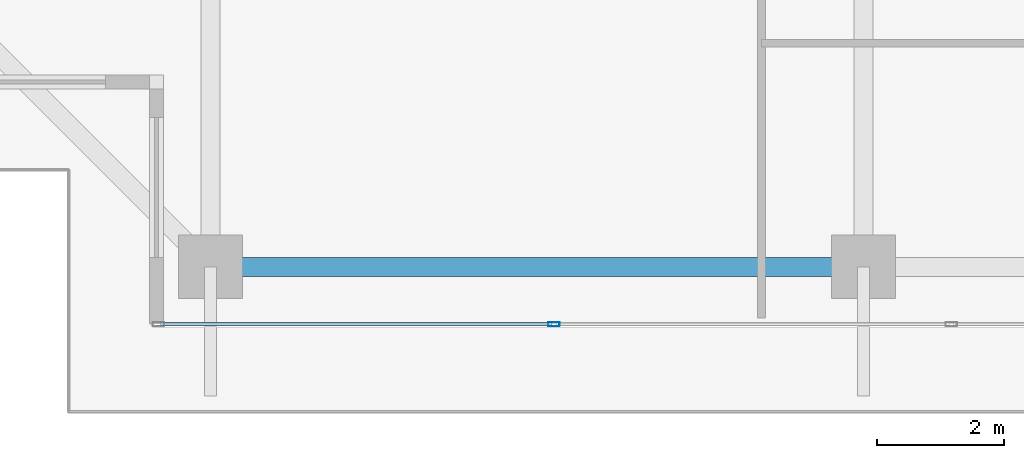
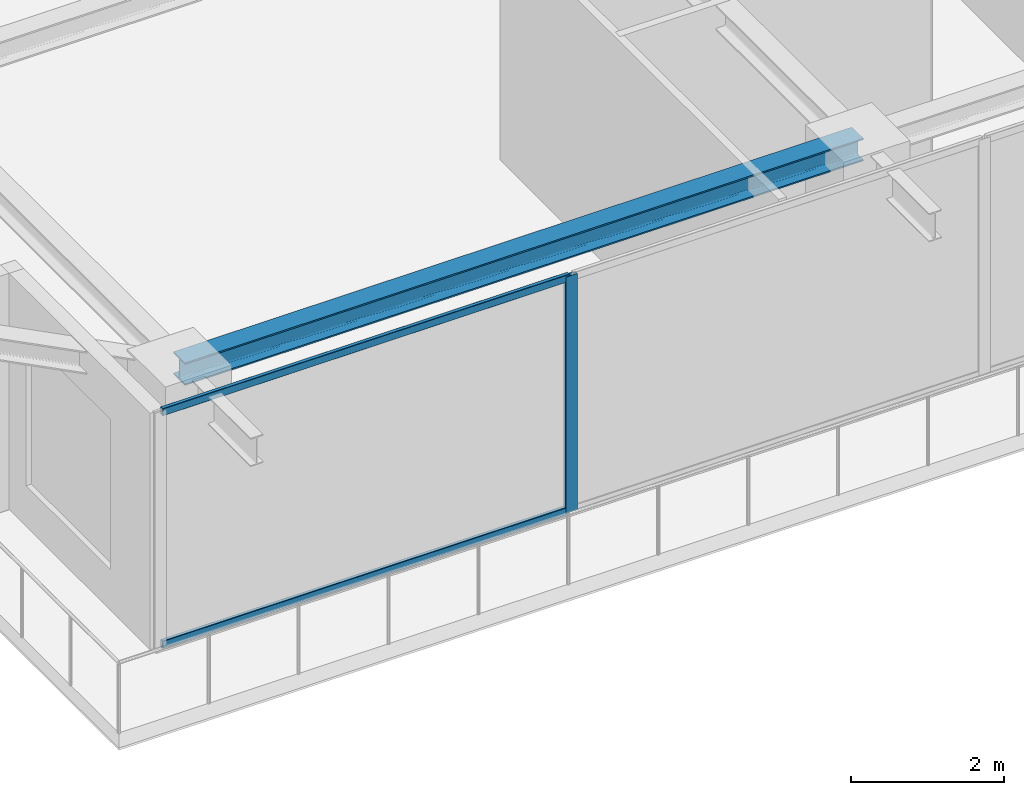
# One storey, part 3 of 39: 3 members, 1 beam, 1 element without a shape of its own.
"""IFC4 building model written with IfcOpenShell, lengths in metres."""

from ifc_helpers import new_model, si_unit, direction, frame, origin, origin_2d, place, context, subcontext, project, spatial, hollow_rectangle, i_section, extrude, source, transform, mapped, material, layer, layer_set, material_profile, profile_set, type_object, element, aggregate, save


model = new_model("IFC4")

# Units and contexts
model_context = context("Model", 3, precision=1e-05, world=origin(), true_north=direction((0.0, 1.0)))
body_context = subcontext(model_context, "Body", "Model", "MODEL_VIEW")
ifc_project = project(units=[si_unit("LENGTHUNIT", "METRE"), si_unit("AREAUNIT", "SQUARE_METRE"), si_unit("VOLUMEUNIT", "CUBIC_METRE"), si_unit("PLANEANGLEUNIT", "RADIAN"), si_unit("MASSUNIT", "GRAM", prefix="KILO")], contexts=[model_context])

# Site, building, storey
site_placement = place(None, origin())
site = spatial("IfcSite", under=ifc_project, at=site_placement, CompositionType="ELEMENT")
building_placement = place(site_placement, origin())
building = spatial("IfcBuilding", under=site, at=building_placement, Name="Serunith Strait Residences", CompositionType="ELEMENT")
storey_placement = place(building_placement, frame((0.0, 0.0, 329.89990234375)))
storey = spatial("IfcBuildingStorey", under=building, at=storey_placement, Name="L82", CompositionType="ELEMENT", Elevation=329.89990234375)

# Beam
ifc_material_1 = material(Name="Steel S355J2", Category="steel")
ifc_material_profile_1 = material_profile(ifc_material_1, i_section(OverallWidth=0.300048828125, OverallDepth=0.360107421875, WebThickness=0.012451171875, FlangeThickness=0.0224609375, FilletRadius=0.027099609375, at=origin_2d()), Name="HEB 360")
ifc_profile_set_1 = profile_set([ifc_material_profile_1], Name="Steel S355J2")
beam_type = type_object("IfcBeamType", Name="BM-HEB360", PredefinedType="BEAM", material=ifc_profile_set_1)
shared_shape_1 = source(origin(), body_context, "Body", "SweptSolid", [
    extrude(i_section(OverallWidth=0.300048828125, OverallDepth=0.360107421875, WebThickness=0.012451171875, FlangeThickness=0.0224609375, FilletRadius=0.027099609375, at=origin_2d()), origin(), (0.0, 0.0, 1.0), 10.25),
])
beam_placement = place(storey_placement, frame((17.64990234375, 3.300048828125, 3.607177734375), z_axis=(1.0, 0.0, 0.0), x_axis=(0.0, 1.0, 0.0)))
element("IfcBeam", 1, at=beam_placement, inside=storey, type_object=beam_type, Name="L82 Perimeter Ring Beam 01", PredefinedType="BEAM", context=body_context, shape_type="MappedRepresentation", body=[
    mapped(shared_shape_1, transform((0.0, 0.0, 0.0), scale=1.0)),
])

# Curtain wall, members
ifc_material_2 = material(Name="Brushed Stainless-Silver Aluminium", Category="aluminium")
ifc_layer = layer(ifc_material_2, 0.199951171875, Name="Brushed Stainless-Silver Aluminium")
ifc_layer_set = layer_set([ifc_layer], Name="Brushed Stainless-Silver Aluminium")
curtain_wall_type = type_object("IfcCurtainWallType", Name="CW-SYS5", PredefinedType="NOTDEFINED", material=ifc_layer_set)
curtain_wall_placement = place(storey_placement, origin())
curtain_wall = element("IfcCurtainWall", 2, at=curtain_wall_placement, inside=storey, type_object=curtain_wall_type, Name="L82 S Unitised Fritted Curtain Wall", PredefinedType="NOTDEFINED")
ifc_material_profile_2 = material_profile(ifc_material_2, hollow_rectangle(XDim=0.06494140625, YDim=0.179931640625, WallThickness=0.00341796875, InnerFilletRadius=0.00537109375, OuterFilletRadius=0.0087890625, at=origin_2d()), Name="ALU 180x65x3.5")
ifc_profile_set_2 = profile_set([ifc_material_profile_2], Name="Brushed Stainless-Silver Aluminium")
member_type_1 = type_object("IfcMemberType", Name="CW-SYS5-MULL", PredefinedType="MULLION", material=ifc_profile_set_2)
shared_shape_2 = source(origin(), body_context, "Body", "SweptSolid", [
    extrude(hollow_rectangle(XDim=0.06494140625, YDim=0.179931640625, WallThickness=0.00341796875, InnerFilletRadius=0.00537109375, OuterFilletRadius=0.0087890625, at=origin_2d()), origin(), (0.0, 0.0, 1.0), 3.775146484375),
])
member_1_placement = place(storey_placement, frame((23.0400390625, 2.39990234375, 0.0), z_axis=(0.0, 0.0, 1.0), x_axis=(0.0, 1.0, 0.0)))
member_1 = element("IfcMember", 3, at=member_1_placement, type_object=member_type_1, Name="CW-5 mullion 2", PredefinedType="MULLION", context=body_context, shape_type="MappedRepresentation", body=[
    mapped(shared_shape_2, transform((0.0, 0.0, 0.0), scale=1.0)),
])
ifc_material_profile_3 = material_profile(ifc_material_2, hollow_rectangle(XDim=0.06005859375, YDim=0.1201171875, WallThickness=0.00341796875, InnerFilletRadius=0.00537109375, OuterFilletRadius=0.0087890625, at=origin_2d()), Name="ALU 120x60x3.5")
ifc_profile_set_3 = profile_set([ifc_material_profile_3], Name="Brushed Stainless-Silver Aluminium")
member_type_2 = type_object("IfcMemberType", Name="CW-SYS5-TRAN", PredefinedType="USERDEFINED", material=ifc_profile_set_3)
shared_shape_3 = source(origin(), body_context, "Body", "SweptSolid", [
    extrude(hollow_rectangle(XDim=0.06005859375, YDim=0.1201171875, WallThickness=0.00341796875, InnerFilletRadius=0.00537109375, OuterFilletRadius=0.0087890625, at=origin_2d()), origin(), (0.0, 0.0, 1.0), 6.142578125),
])
member_2_placement = place(storey_placement, frame((16.864990234375, 2.39990234375, 0.030029296875), z_axis=(1.0, 0.0, 0.0), x_axis=(0.0, 1.0, 0.0)))
member_2 = element("IfcMember", 4, at=member_2_placement, type_object=member_type_2, Name="CW-5 transom 1.1", ObjectType="TRANSOM", PredefinedType="USERDEFINED", context=body_context, shape_type="MappedRepresentation", body=[
    mapped(shared_shape_3, transform((0.0, 0.0, 0.0), scale=1.0)),
])
member_3_placement = place(storey_placement, frame((16.864990234375, 2.39990234375, 3.7451171875), z_axis=(1.0, 0.0, 0.0), x_axis=(0.0, 1.0, 0.0)))
member_3 = element("IfcMember", 5, at=member_3_placement, type_object=member_type_2, Name="CW-5 transom 1.2", ObjectType="TRANSOM", PredefinedType="USERDEFINED", context=body_context, shape_type="MappedRepresentation", body=[
    mapped(shared_shape_3, transform((0.0, 0.0, 0.0), scale=1.0)),
])
aggregate(curtain_wall, [member_1, member_2, member_3])

save(model, "model.ifc")
